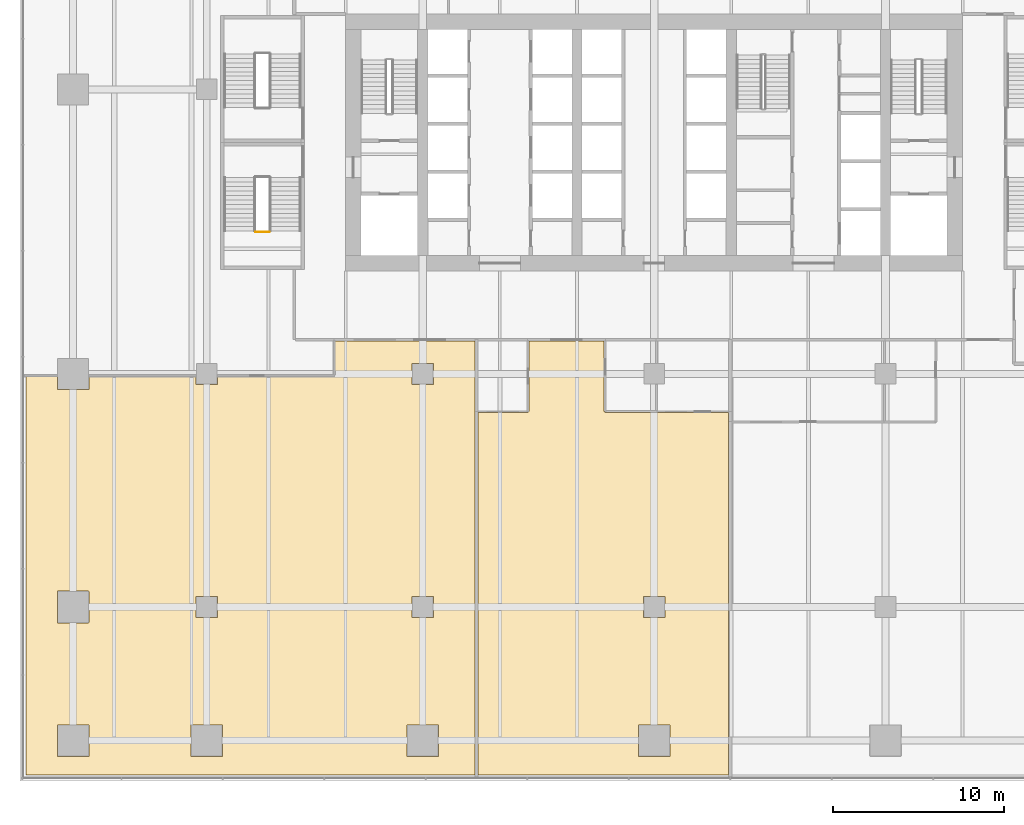
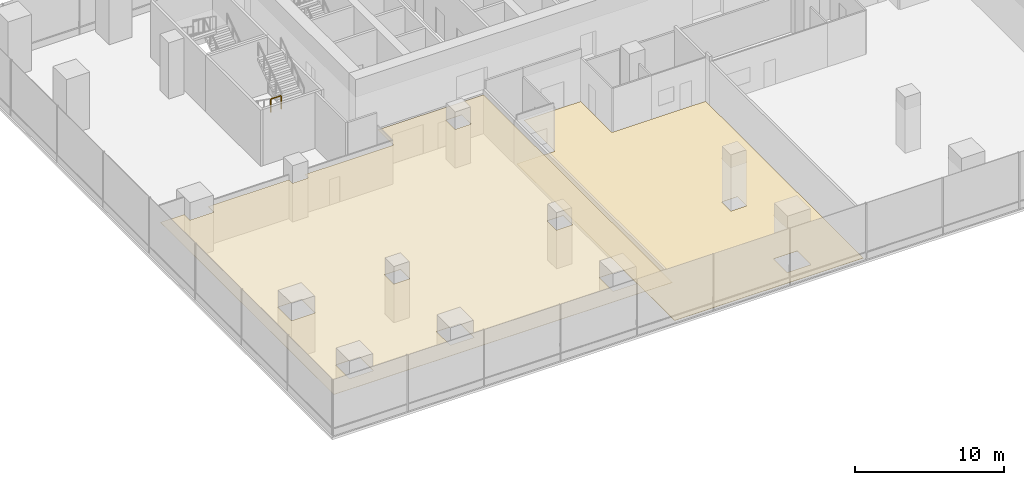
# One storey, part 24 of 28: 2 coverings, 1 railing.
"""IFC4 building model written with IfcOpenShell, lengths in metres."""

import ifcopenshell
import ifcopenshell.guid

model = None  # the IFC model being written
_history = None  # IfcOwnerHistory: only IFC2X3 demands one
_inside = {}  # id of a spatial element -> (the spatial element, [elements in it])
_under = {}  # id of a project, library or spatial element -> (it, [spatial elements below it])
_declared = {}  # id of a project -> (the project, [libraries it declares])
_typed = {}  # id of a type object -> (the type object, [elements of that type])
_made_of = {}  # id of a material, layer set ... -> (it, [elements and type objects made of it])


def new_model(schema):
    """Start an empty IFC model of exactly this schema.

    Asked for "IFC4X3", IfcOpenShell would pick the latest addendum, in which some entities
    have other attributes; the version numbers below select the first issue.
    IFC2X3 requires an IfcOwnerHistory on every rooted entity: one is made here for all.
    """
    global model, _history
    if schema == "IFC4X3":
        model = ifcopenshell.file(schema_version=(4, 3, 0, 0))
    else:
        model = ifcopenshell.file(schema=schema)
    _inside.clear()
    _under.clear()
    _declared.clear()
    _typed.clear()
    _made_of.clear()
    _history = None
    if model.schema == "IFC2X3":
        org = make("IfcOrganization", Name="unknown")
        user = make(
            "IfcPersonAndOrganization",
            ThePerson=make("IfcPerson", FamilyName="unknown"),
            TheOrganization=org,
        )
        app = make(
            "IfcApplication",
            ApplicationDeveloper=org,
            Version="unknown",
            ApplicationFullName="unknown",
            ApplicationIdentifier="unknown",
        )
        _history = make(
            "IfcOwnerHistory",
            OwningUser=user,
            OwningApplication=app,
            ChangeAction="ADDED",
            CreationDate=0,
        )
    return model


def make(cls, **values):
    """One entity of the class cls with the attributes given. An attribute that is None is left unset."""
    return model.create_entity(
        cls, **{name: value for name, value in values.items() if value is not None}
    )


def rooted(cls, **values):
    """An entity with a GlobalId (a new one), such as an element, a storey or a relation."""
    return make(cls, GlobalId=ifcopenshell.guid.new(), OwnerHistory=_history, **values)


def si_unit(unit_type, name, prefix=None):
    """IfcSIUnit, for example si_unit("LENGTHUNIT", "METRE", prefix="MILLI")."""
    return make("IfcSIUnit", UnitType=unit_type, Prefix=prefix, Name=name)


def assignment(units):
    """IfcUnitAssignment: the units of a project."""
    return None if units is None else make("IfcUnitAssignment", Units=units)


def point(xyz):
    """IfcCartesianPoint."""
    return None if xyz is None else make("IfcCartesianPoint", Coordinates=xyz)


def direction(xyz):
    """IfcDirection."""
    return None if xyz is None else make("IfcDirection", DirectionRatios=xyz)


def frame(location, z_axis=None, x_axis=None):
    """IfcAxis2Placement3D, a coordinate frame: its origin and axes. An axis left out is left unset."""
    return make(
        "IfcAxis2Placement3D",
        Location=point(location),
        Axis=direction(z_axis),
        RefDirection=direction(x_axis),
    )


def frame_2d(location, x_axis=None):
    """IfcAxis2Placement2D, a coordinate frame in the plane: its origin and x axis."""
    return make(
        "IfcAxis2Placement2D", Location=point(location), RefDirection=direction(x_axis)
    )


def origin():
    """The frame at (0, 0, 0) with its axes left unset."""
    return frame((0.0, 0.0, 0.0))


def origin_2d():
    """The frame at (0, 0) in the plane with its x axis left unset."""
    return frame_2d((0.0, 0.0))


def place(relative_to, where):
    """IfcLocalPlacement: puts the frame where relative to a parent placement (None: the world)."""
    return make(
        "IfcLocalPlacement", PlacementRelTo=relative_to, RelativePlacement=where
    )


def context(
    kind, dimensions, precision=None, world=None, true_north=None, identifier=None
):
    """IfcGeometricRepresentationContext, for example the 3D "Model" context."""
    return make(
        "IfcGeometricRepresentationContext",
        ContextIdentifier=identifier,
        ContextType=kind,
        CoordinateSpaceDimension=dimensions,
        Precision=precision,
        WorldCoordinateSystem=world,
        TrueNorth=true_north,
    )


def subcontext(parent, identifier, kind, view, scale=None):
    """IfcGeometricRepresentationSubContext, for example "Body" below "Model"."""
    return make(
        "IfcGeometricRepresentationSubContext",
        ContextIdentifier=identifier,
        ContextType=kind,
        ParentContext=parent,
        TargetScale=scale,
        TargetView=view,
    )


def project(units=None, contexts=None):
    """IfcProject with its units and contexts."""
    return rooted(
        "IfcProject",
        Name="project",
        RepresentationContexts=contexts,
        UnitsInContext=assignment(units),
    )


def spatial(cls, under=None, at=None, **own):
    """A site, building, storey or space (cls), placed at a placement, below another one or the project."""
    s = rooted(cls, ObjectPlacement=at, **own)
    if under is not None:
        _under.setdefault(under.id(), (under, []))[1].append(s)
    return s


def polyline(points):
    """IfcPolyline through the points."""
    return make("IfcPolyline", Points=[point(p) for p in points])


def profile(cls, at=None, kind="AREA", **sizes):
    """A parametric profile (cls). Its sizes go by their IFC names, for example OverallWidth=200.0."""
    return make(cls, ProfileType=kind, Position=at, **sizes)


def rectangle(**sizes):
    """IfcRectangleProfileDef."""
    return profile("IfcRectangleProfileDef", **sizes)


def outline(outer, holes=None, kind="AREA"):
    """IfcArbitraryClosedProfileDef: a profile drawn as a closed curve; with holes, ...WithVoids."""
    if holes is None:
        return make("IfcArbitraryClosedProfileDef", ProfileType=kind, OuterCurve=outer)
    return make(
        "IfcArbitraryProfileDefWithVoids",
        ProfileType=kind,
        OuterCurve=outer,
        InnerCurves=holes,
    )


def extrude(swept, where, along, depth):
    """IfcExtrudedAreaSolid: the profile swept, set in the frame where, extruded along a direction by depth."""
    return make(
        "IfcExtrudedAreaSolid",
        SweptArea=swept,
        Position=where,
        ExtrudedDirection=direction(along),
        Depth=depth,
    )


def shape(context_of_items, identifier, shape_type, items):
    """IfcShapeRepresentation: the items that make up one representation, for example the "Body"."""
    return make(
        "IfcShapeRepresentation",
        ContextOfItems=context_of_items,
        RepresentationIdentifier=identifier,
        RepresentationType=shape_type,
        Items=items,
    )


def material(Name=None, Category=None):
    """IfcMaterial."""
    return make("IfcMaterial", Name=Name, Category=Category)


def layer(
    of_material, thickness, ventilated=None, Name=None, Category=None, Priority=None
):
    """IfcMaterialLayer: one layer of a wall or slab, of a material (None: an air gap)."""
    return make(
        "IfcMaterialLayer",
        Material=of_material,
        LayerThickness=thickness,
        IsVentilated=ventilated,
        Name=Name,
        Category=Category,
        Priority=Priority,
    )


def layer_set(layers, Name=None):
    """IfcMaterialLayerSet."""
    return make("IfcMaterialLayerSet", MaterialLayers=layers, LayerSetName=Name)


def made_of(thing, what):
    """Note that an element or type object is made of a material, layer set ...; save() writes the relation."""
    if what is not None:
        _made_of.setdefault(what.id(), (what, []))[1].append(thing)
    return thing


def type_object(cls, material=None, **own):
    """A type object (cls), such as IfcWallType, which elements share."""
    return made_of(rooted(cls, **own), material)


def element(
    cls,
    number,
    at=None,
    inside=None,
    cuts=None,
    type_object=None,
    material=None,
    context=None,
    identifier="Body",
    shape_type=None,
    held_by="IfcProductDefinitionShape",
    body=None,
    shapes=None,
    **own,
):
    """One element of the class cls, such as IfcWall. Its Tag is "e" and its number.

    at: its placement. inside: the storey or other place that contains it. cuts: it is an
    opening in that element (IfcRelVoidsElement). A single representation is given by context,
    identifier, shape_type and body (its items); several are given by shapes. held_by: the class
    of the entity that holds the representations. save() writes the other relations.
    """
    e = rooted(cls, Tag="e%d" % number, ObjectPlacement=at, **own)
    if body is not None:
        shapes = [shape(context, identifier, shape_type, body)]
    if shapes is not None:
        e.Representation = make(held_by, Representations=shapes)
    if inside is not None:
        _inside.setdefault(inside.id(), (inside, []))[1].append(e)
    if cuts is not None:
        rooted(
            "IfcRelVoidsElement", RelatingBuildingElement=cuts, RelatedOpeningElement=e
        )
    if type_object is not None:
        _typed.setdefault(type_object.id(), (type_object, []))[1].append(e)
    return made_of(e, material)


def aggregate(whole, parts):
    """IfcRelAggregates: a whole, such as a stair, and the parts it consists of."""
    return rooted("IfcRelAggregates", RelatingObject=whole, RelatedObjects=parts)


def save(model, path):
    """Write the relations noted so far, then the file.

    IfcRelAggregates (storeys below a building ...), IfcRelContainedInSpatialStructure (elements
    in a storey), IfcRelDefinesByType, IfcRelAssociatesMaterial and IfcRelDeclares: one each for
    every whole, place, type object, material and project.
    """
    for whole, parts in _under.values():
        aggregate(whole, parts)
    for where, things in _inside.values():
        rooted(
            "IfcRelContainedInSpatialStructure",
            RelatedElements=things,
            RelatingStructure=where,
        )
    for kind, things in _typed.values():
        rooted("IfcRelDefinesByType", RelatedObjects=things, RelatingType=kind)
    for what, things in _made_of.values():
        rooted("IfcRelAssociatesMaterial", RelatedObjects=things, RelatingMaterial=what)
    for by, libraries in _declared.values():
        rooted("IfcRelDeclares", RelatingContext=by, RelatedDefinitions=libraries)
    model.write(path)


model = new_model("IFC4")

# Units and contexts
model_context = context("Model", 3, precision=1e-05, world=origin(), true_north=direction((0.0, 1.0)))
body_context = subcontext(model_context, "Body", "Model", "MODEL_VIEW")
ifc_project = project(units=[si_unit("LENGTHUNIT", "METRE"), si_unit("AREAUNIT", "SQUARE_METRE"), si_unit("VOLUMEUNIT", "CUBIC_METRE"), si_unit("PLANEANGLEUNIT", "RADIAN"), si_unit("MASSUNIT", "GRAM", prefix="KILO")], contexts=[model_context])

# Site, building, storey
site_placement = place(None, origin())
site = spatial("IfcSite", under=ifc_project, at=site_placement, CompositionType="ELEMENT")
building_placement = place(site_placement, origin())
building = spatial("IfcBuilding", under=site, at=building_placement, Name="Rattan Terrace Tower", CompositionType="ELEMENT")
storey_placement = place(building_placement, frame((0.0, 0.0, 17.39990234375)))
storey = spatial("IfcBuildingStorey", under=building, at=storey_placement, Name="L03", CompositionType="ELEMENT", Elevation=17.39990234375)

# Railing
ifc_material_1 = material(Name="Powder-coated steel guard", Category="steel")
railing_type = type_object("IfcRailingType", Name="Core stair guard", PredefinedType="GUARDRAIL", material=ifc_material_1)
railing_placement = place(storey_placement, frame((-23.25, -5.219970703125, 2.400146484375)))
element("IfcRailing", 1, at=railing_placement, inside=storey, type_object=railing_type, Name="L03 S4 stair guard 2", PredefinedType="GUARDRAIL", context=body_context, shape_type="SweptSolid", body=[
    extrude(rectangle(XDim=0.048095703125, YDim=0.048095703125, at=origin_2d()), frame((0.0, 0.0, 1.076171875), z_axis=(1.0, 0.0, 0.0), x_axis=(0.0, 1.0, 0.0)), (0.0, 0.0, 1.0), 0.800048828125),
    extrude(rectangle(XDim=0.0419921875, YDim=0.0419921875, at=origin_2d()), origin(), (0.0, 0.0, 1.0), 1.052001953125),
    extrude(rectangle(XDim=0.0419921875, YDim=0.0419921875, at=origin_2d()), frame((0.800048828125, 0.0, 0.0)), (0.0, 0.0, 1.0), 1.052001953125),
])

# Coverings
ifc_material_2 = material(Name="Polished limestone", Category="masonry")
ifc_layer_1 = layer(ifc_material_2, 0.02001953125)
ifc_layer_set_1 = layer_set([ifc_layer_1], Name="Lobby Floor Finish Stone 20")
covering_type_1 = type_object("IfcCoveringType", Name="Lobby Floor Finish Stone 20", PredefinedType="FLOORING", material=ifc_layer_set_1)
covering_1_placement = place(storey_placement, origin())
element("IfcCovering", 2, at=covering_1_placement, inside=storey, type_object=covering_type_1, Name="Floor finish L03-109", PredefinedType="FLOORING", context=body_context, shape_type="SweptSolid", body=[
    extrude(outline(polyline([(-10.27001953125, -15.75), (-10.27001953125, -36.909912109375), (4.35009765625, -36.909912109375), (4.35009765625, -15.75), (0.159912109375, -15.75), (0.159912109375, -15.760009765625), (-2.860107421875, -15.760009765625), (-2.860107421875, -15.699951171875), (-2.919921875, -15.699951171875), (-2.919921875, -11.574951171875), (-7.31005859375, -11.574951171875), (-7.31005859375, -15.699951171875), (-7.360107421875, -15.699951171875), (-7.360107421875, -15.75), (-10.27001953125, -15.75)]), holes=[polyline([(-0.906005859375, -35.819091796875), (-0.904052734375, -35.820068359375), (-0.902099609375, -35.820068359375), (-0.89990234375, -35.820068359375), (0.89990234375, -35.820068359375), (0.902099609375, -35.820068359375), (0.904052734375, -35.820068359375), (0.906005859375, -35.819091796875), (0.907958984375, -35.819091796875), (0.909912109375, -35.818115234375), (0.910888671875, -35.81689453125), (0.9130859375, -35.81591796875), (0.9140625, -35.81396484375), (0.916015625, -35.81298828125), (0.9169921875, -35.81103515625), (0.91796875, -35.81005859375), (0.9189453125, -35.80810546875), (0.9189453125, -35.805908203125), (0.919921875, -35.803955078125), (0.919921875, -35.802001953125), (0.919921875, -35.800048828125), (0.919921875, -34.0), (0.919921875, -33.998046875), (0.919921875, -33.99609375), (0.9189453125, -33.993896484375), (0.9189453125, -33.991943359375), (0.91796875, -33.989990234375), (0.9169921875, -33.989013671875), (0.916015625, -33.987060546875), (0.9140625, -33.986083984375), (0.9130859375, -33.98388671875), (0.910888671875, -33.98291015625), (0.909912109375, -33.98193359375), (0.907958984375, -33.98095703125), (0.906005859375, -33.98095703125), (0.904052734375, -33.97998046875), (0.902099609375, -33.97998046875), (0.89990234375, -33.97998046875), (-0.89990234375, -33.97998046875), (-0.902099609375, -33.97998046875), (-0.904052734375, -33.97998046875), (-0.906005859375, -33.98095703125), (-0.907958984375, -33.98095703125), (-0.909912109375, -33.98193359375), (-0.910888671875, -33.98291015625), (-0.9130859375, -33.98388671875), (-0.9140625, -33.986083984375), (-0.916015625, -33.987060546875), (-0.9169921875, -33.989013671875), (-0.91796875, -33.989990234375), (-0.9189453125, -33.991943359375), (-0.9189453125, -33.993896484375), (-0.919921875, -33.99609375), (-0.919921875, -33.998046875), (-0.919921875, -34.0), (-0.919921875, -35.800048828125), (-0.919921875, -35.802001953125), (-0.919921875, -35.803955078125), (-0.9189453125, -35.805908203125), (-0.9189453125, -35.80810546875), (-0.91796875, -35.81005859375), (-0.9169921875, -35.81103515625), (-0.916015625, -35.81298828125), (-0.9140625, -35.81396484375), (-0.9130859375, -35.81591796875), (-0.910888671875, -35.81689453125), (-0.909912109375, -35.818115234375), (-0.907958984375, -35.819091796875), (-0.906005859375, -35.819091796875)]), polyline([(-0.610107421875, -27.718017578125), (-0.60791015625, -27.718994140625), (-0.60595703125, -27.718994140625), (-0.60400390625, -27.719970703125), (-0.60205078125, -27.719970703125), (-0.60009765625, -27.719970703125), (0.60009765625, -27.719970703125), (0.60205078125, -27.719970703125), (0.60400390625, -27.719970703125), (0.60595703125, -27.718994140625), (0.60791015625, -27.718994140625), (0.610107421875, -27.718017578125), (0.611083984375, -27.717041015625), (0.613037109375, -27.716064453125), (0.614013671875, -27.714111328125), (0.615966796875, -27.712890625), (0.616943359375, -27.7109375), (0.617919921875, -27.7099609375), (0.618896484375, -27.7080078125), (0.618896484375, -27.7060546875), (0.6201171875, -27.7041015625), (0.6201171875, -27.701904296875), (0.6201171875, -27.699951171875), (0.6201171875, -26.5), (0.6201171875, -26.498046875), (0.6201171875, -26.49609375), (0.618896484375, -26.493896484375), (0.618896484375, -26.491943359375), (0.617919921875, -26.489990234375), (0.616943359375, -26.489013671875), (0.615966796875, -26.487060546875), (0.614013671875, -26.486083984375), (0.613037109375, -26.48388671875), (0.611083984375, -26.48291015625), (0.610107421875, -26.48193359375), (0.60791015625, -26.48095703125), (0.60595703125, -26.48095703125), (0.60400390625, -26.47998046875), (0.60205078125, -26.47998046875), (0.60009765625, -26.47998046875), (-0.60009765625, -26.47998046875), (-0.60205078125, -26.47998046875), (-0.60400390625, -26.47998046875), (-0.60595703125, -26.48095703125), (-0.60791015625, -26.48095703125), (-0.610107421875, -26.48193359375), (-0.611083984375, -26.48291015625), (-0.613037109375, -26.48388671875), (-0.614013671875, -26.486083984375), (-0.615966796875, -26.487060546875), (-0.616943359375, -26.489013671875), (-0.617919921875, -26.489990234375), (-0.618896484375, -26.491943359375), (-0.618896484375, -26.493896484375), (-0.6201171875, -26.49609375), (-0.6201171875, -26.498046875), (-0.6201171875, -26.5), (-0.6201171875, -27.699951171875), (-0.6201171875, -27.701904296875), (-0.6201171875, -27.7041015625), (-0.618896484375, -27.7060546875), (-0.618896484375, -27.7080078125), (-0.617919921875, -27.7099609375), (-0.616943359375, -27.7109375), (-0.615966796875, -27.712890625), (-0.614013671875, -27.714111328125), (-0.613037109375, -27.716064453125), (-0.611083984375, -27.717041015625), (-0.610107421875, -27.718017578125)])]), origin(), (0.0, 0.0, 1.0), 0.02001953125),
])
ifc_material_3 = material(Name="Gypsum board, painted")
ifc_layer_2 = layer(ifc_material_3, 0.02490234375)
ifc_layer_set_2 = layer_set([ifc_layer_2], Name="Suspended Ceiling Gypsum 25")
covering_type_2 = type_object("IfcCoveringType", Name="Suspended Ceiling Gypsum 25", PredefinedType="CEILING", material=ifc_layer_set_2)
covering_2_placement = place(storey_placement, frame((0.0, 0.0, 3.175048828125)))
element("IfcCovering", 3, at=covering_2_placement, inside=storey, type_object=covering_type_2, Name="Ceiling L03-105", PredefinedType="CEILING", context=body_context, shape_type="SweptSolid", body=[
    extrude(outline(polyline([(-34.820068359375, -13.656005859375), (-36.659912109375, -13.656005859375), (-36.659912109375, -36.909912109375), (-10.449951171875, -36.909912109375), (-10.449951171875, -11.574951171875), (-18.610107421875, -11.574951171875), (-18.610107421875, -13.60595703125), (-18.659912109375, -13.60595703125), (-18.659912109375, -13.656005859375), (-25.47998046875, -13.656005859375), (-25.47998046875, -14.10009765625), (-25.47998046875, -14.10205078125), (-25.47998046875, -14.10400390625), (-25.48095703125, -14.10595703125), (-25.48095703125, -14.10791015625), (-25.48193359375, -14.110107421875), (-25.48291015625, -14.111083984375), (-25.48388671875, -14.113037109375), (-25.486083984375, -14.114013671875), (-25.487060546875, -14.115966796875), (-25.489013671875, -14.116943359375), (-25.489990234375, -14.117919921875), (-25.491943359375, -14.118896484375), (-25.493896484375, -14.118896484375), (-25.49609375, -14.1201171875), (-25.498046875, -14.1201171875), (-25.5, -14.1201171875), (-26.699951171875, -14.1201171875), (-26.701904296875, -14.1201171875), (-26.7041015625, -14.1201171875), (-26.7060546875, -14.118896484375), (-26.7080078125, -14.118896484375), (-26.7099609375, -14.117919921875), (-26.7109375, -14.116943359375), (-26.712890625, -14.115966796875), (-26.714111328125, -14.114013671875), (-26.716064453125, -14.113037109375), (-26.717041015625, -14.111083984375), (-26.718017578125, -14.110107421875), (-26.718994140625, -14.10791015625), (-26.718994140625, -14.10595703125), (-26.719970703125, -14.10400390625), (-26.719970703125, -14.10205078125), (-26.719970703125, -14.10009765625), (-26.719970703125, -13.656005859375), (-32.97998046875, -13.656005859375), (-32.97998046875, -14.39990234375), (-32.97998046875, -14.402099609375), (-32.97998046875, -14.404052734375), (-32.98095703125, -14.406005859375), (-32.98095703125, -14.407958984375), (-32.98193359375, -14.409912109375), (-32.98291015625, -14.410888671875), (-32.98388671875, -14.4130859375), (-32.986083984375, -14.4140625), (-32.987060546875, -14.416015625), (-32.989013671875, -14.4169921875), (-32.989990234375, -14.41796875), (-32.991943359375, -14.4189453125), (-32.993896484375, -14.4189453125), (-32.99609375, -14.419921875), (-32.998046875, -14.419921875), (-33.0, -14.419921875), (-34.800048828125, -14.419921875), (-34.802001953125, -14.419921875), (-34.803955078125, -14.419921875), (-34.805908203125, -14.4189453125), (-34.80810546875, -14.4189453125), (-34.81005859375, -14.41796875), (-34.81103515625, -14.4169921875), (-34.81298828125, -14.416015625), (-34.81396484375, -14.4140625), (-34.81591796875, -14.4130859375), (-34.81689453125, -14.410888671875), (-34.818115234375, -14.409912109375), (-34.819091796875, -14.407958984375), (-34.819091796875, -14.406005859375), (-34.820068359375, -14.404052734375), (-34.820068359375, -14.402099609375), (-34.820068359375, -14.39990234375), (-34.820068359375, -13.656005859375)]), holes=[polyline([(-14.409912109375, -35.818115234375), (-14.407958984375, -35.819091796875), (-14.406005859375, -35.819091796875), (-14.404052734375, -35.820068359375), (-14.402099609375, -35.820068359375), (-14.39990234375, -35.820068359375), (-12.60009765625, -35.820068359375), (-12.597900390625, -35.820068359375), (-12.595947265625, -35.820068359375), (-12.593994140625, -35.819091796875), (-12.592041015625, -35.819091796875), (-12.590087890625, -35.818115234375), (-12.589111328125, -35.81689453125), (-12.5869140625, -35.81591796875), (-12.5859375, -35.81396484375), (-12.583984375, -35.81298828125), (-12.5830078125, -35.81103515625), (-12.58203125, -35.81005859375), (-12.5810546875, -35.80810546875), (-12.5810546875, -35.805908203125), (-12.580078125, -35.803955078125), (-12.580078125, -35.802001953125), (-12.580078125, -35.800048828125), (-12.580078125, -34.0), (-12.580078125, -33.998046875), (-12.580078125, -33.99609375), (-12.5810546875, -33.993896484375), (-12.5810546875, -33.991943359375), (-12.58203125, -33.989990234375), (-12.5830078125, -33.989013671875), (-12.583984375, -33.987060546875), (-12.5859375, -33.986083984375), (-12.5869140625, -33.98388671875), (-12.589111328125, -33.98291015625), (-12.590087890625, -33.98193359375), (-12.592041015625, -33.98095703125), (-12.593994140625, -33.98095703125), (-12.595947265625, -33.97998046875), (-12.597900390625, -33.97998046875), (-12.60009765625, -33.97998046875), (-14.39990234375, -33.97998046875), (-14.402099609375, -33.97998046875), (-14.404052734375, -33.97998046875), (-14.406005859375, -33.98095703125), (-14.407958984375, -33.98095703125), (-14.409912109375, -33.98193359375), (-14.410888671875, -33.98291015625), (-14.4130859375, -33.98388671875), (-14.4140625, -33.986083984375), (-14.416015625, -33.987060546875), (-14.4169921875, -33.989013671875), (-14.41796875, -33.989990234375), (-14.4189453125, -33.991943359375), (-14.4189453125, -33.993896484375), (-14.419921875, -33.99609375), (-14.419921875, -33.998046875), (-14.419921875, -34.0), (-14.419921875, -35.800048828125), (-14.419921875, -35.802001953125), (-14.419921875, -35.803955078125), (-14.4189453125, -35.805908203125), (-14.4189453125, -35.80810546875), (-14.41796875, -35.81005859375), (-14.4169921875, -35.81103515625), (-14.416015625, -35.81298828125), (-14.4140625, -35.81396484375), (-14.4130859375, -35.81591796875), (-14.410888671875, -35.81689453125), (-14.409912109375, -35.818115234375)]), polyline([(-14.110107421875, -27.718017578125), (-14.10791015625, -27.718994140625), (-14.10595703125, -27.718994140625), (-14.10400390625, -27.719970703125), (-14.10205078125, -27.719970703125), (-14.10009765625, -27.719970703125), (-12.89990234375, -27.719970703125), (-12.89794921875, -27.719970703125), (-12.89599609375, -27.719970703125), (-12.89404296875, -27.718994140625), (-12.89208984375, -27.718994140625), (-12.889892578125, -27.718017578125), (-12.888916015625, -27.717041015625), (-12.886962890625, -27.716064453125), (-12.885986328125, -27.714111328125), (-12.884033203125, -27.712890625), (-12.883056640625, -27.7109375), (-12.882080078125, -27.7099609375), (-12.881103515625, -27.7080078125), (-12.881103515625, -27.7060546875), (-12.8798828125, -27.7041015625), (-12.8798828125, -27.701904296875), (-12.8798828125, -27.699951171875), (-12.8798828125, -26.5), (-12.8798828125, -26.498046875), (-12.8798828125, -26.49609375), (-12.881103515625, -26.493896484375), (-12.881103515625, -26.491943359375), (-12.882080078125, -26.489990234375), (-12.883056640625, -26.489013671875), (-12.884033203125, -26.487060546875), (-12.885986328125, -26.486083984375), (-12.886962890625, -26.48388671875), (-12.888916015625, -26.48291015625), (-12.889892578125, -26.48193359375), (-12.89208984375, -26.48095703125), (-12.89404296875, -26.48095703125), (-12.89599609375, -26.47998046875), (-12.89794921875, -26.47998046875), (-12.89990234375, -26.47998046875), (-14.10009765625, -26.47998046875), (-14.10205078125, -26.47998046875), (-14.10400390625, -26.47998046875), (-14.10595703125, -26.48095703125), (-14.10791015625, -26.48095703125), (-14.110107421875, -26.48193359375), (-14.111083984375, -26.48291015625), (-14.113037109375, -26.48388671875), (-14.114013671875, -26.486083984375), (-14.115966796875, -26.487060546875), (-14.116943359375, -26.489013671875), (-14.117919921875, -26.489990234375), (-14.118896484375, -26.491943359375), (-14.118896484375, -26.493896484375), (-14.1201171875, -26.49609375), (-14.1201171875, -26.498046875), (-14.1201171875, -26.5), (-14.1201171875, -27.699951171875), (-14.1201171875, -27.701904296875), (-14.1201171875, -27.7041015625), (-14.118896484375, -27.7060546875), (-14.118896484375, -27.7080078125), (-14.117919921875, -27.7099609375), (-14.116943359375, -27.7109375), (-14.115966796875, -27.712890625), (-14.114013671875, -27.714111328125), (-14.113037109375, -27.716064453125), (-14.111083984375, -27.717041015625), (-14.110107421875, -27.718017578125)]), polyline([(-14.116943359375, -14.111083984375), (-14.115966796875, -14.113037109375), (-14.114013671875, -14.114013671875), (-14.113037109375, -14.115966796875), (-14.111083984375, -14.116943359375), (-14.110107421875, -14.117919921875), (-14.10791015625, -14.118896484375), (-14.10595703125, -14.118896484375), (-14.10400390625, -14.1201171875), (-14.10205078125, -14.1201171875), (-14.10009765625, -14.1201171875), (-12.89990234375, -14.1201171875), (-12.89794921875, -14.1201171875), (-12.89599609375, -14.1201171875), (-12.89404296875, -14.118896484375), (-12.89208984375, -14.118896484375), (-12.889892578125, -14.117919921875), (-12.888916015625, -14.116943359375), (-12.886962890625, -14.115966796875), (-12.885986328125, -14.114013671875), (-12.884033203125, -14.113037109375), (-12.883056640625, -14.111083984375), (-12.882080078125, -14.110107421875), (-12.881103515625, -14.10791015625), (-12.881103515625, -14.10595703125), (-12.8798828125, -14.10400390625), (-12.8798828125, -14.10205078125), (-12.8798828125, -14.10009765625), (-12.8798828125, -12.89990234375), (-12.8798828125, -12.89794921875), (-12.8798828125, -12.89599609375), (-12.881103515625, -12.89404296875), (-12.881103515625, -12.89208984375), (-12.882080078125, -12.889892578125), (-12.883056640625, -12.888916015625), (-12.884033203125, -12.886962890625), (-12.885986328125, -12.885986328125), (-12.886962890625, -12.884033203125), (-12.888916015625, -12.883056640625), (-12.889892578125, -12.882080078125), (-12.89208984375, -12.881103515625), (-12.89404296875, -12.881103515625), (-12.89599609375, -12.8798828125), (-12.89794921875, -12.8798828125), (-12.89990234375, -12.8798828125), (-14.10009765625, -12.8798828125), (-14.10205078125, -12.8798828125), (-14.10400390625, -12.8798828125), (-14.10595703125, -12.881103515625), (-14.10791015625, -12.881103515625), (-14.110107421875, -12.882080078125), (-14.111083984375, -12.883056640625), (-14.113037109375, -12.884033203125), (-14.114013671875, -12.885986328125), (-14.115966796875, -12.886962890625), (-14.116943359375, -12.888916015625), (-14.117919921875, -12.889892578125), (-14.118896484375, -12.89208984375), (-14.118896484375, -12.89404296875), (-14.1201171875, -12.89599609375), (-14.1201171875, -12.89794921875), (-14.1201171875, -12.89990234375), (-14.1201171875, -14.10009765625), (-14.1201171875, -14.10205078125), (-14.1201171875, -14.10400390625), (-14.118896484375, -14.10595703125), (-14.118896484375, -14.10791015625), (-14.117919921875, -14.110107421875), (-14.116943359375, -14.111083984375)]), polyline([(-27.010009765625, -35.818115234375), (-27.008056640625, -35.819091796875), (-27.006103515625, -35.819091796875), (-27.00390625, -35.820068359375), (-27.001953125, -35.820068359375), (-27.0, -35.820068359375), (-25.199951171875, -35.820068359375), (-25.197998046875, -35.820068359375), (-25.196044921875, -35.820068359375), (-25.194091796875, -35.819091796875), (-25.19189453125, -35.819091796875), (-25.18994140625, -35.818115234375), (-25.18896484375, -35.81689453125), (-25.18701171875, -35.81591796875), (-25.18603515625, -35.81396484375), (-25.18408203125, -35.81298828125), (-25.18310546875, -35.81103515625), (-25.181884765625, -35.81005859375), (-25.180908203125, -35.80810546875), (-25.180908203125, -35.805908203125), (-25.179931640625, -35.803955078125), (-25.179931640625, -35.802001953125), (-25.179931640625, -35.800048828125), (-25.179931640625, -34.0), (-25.179931640625, -33.998046875), (-25.179931640625, -33.99609375), (-25.180908203125, -33.993896484375), (-25.180908203125, -33.991943359375), (-25.181884765625, -33.989990234375), (-25.18310546875, -33.989013671875), (-25.18408203125, -33.987060546875), (-25.18603515625, -33.986083984375), (-25.18701171875, -33.98388671875), (-25.18896484375, -33.98291015625), (-25.18994140625, -33.98193359375), (-25.19189453125, -33.98095703125), (-25.194091796875, -33.98095703125), (-25.196044921875, -33.97998046875), (-25.197998046875, -33.97998046875), (-25.199951171875, -33.97998046875), (-27.0, -33.97998046875), (-27.001953125, -33.97998046875), (-27.00390625, -33.97998046875), (-27.006103515625, -33.98095703125), (-27.008056640625, -33.98095703125), (-27.010009765625, -33.98193359375), (-27.010986328125, -33.98291015625), (-27.012939453125, -33.98388671875), (-27.013916015625, -33.986083984375), (-27.01611328125, -33.987060546875), (-27.01708984375, -33.989013671875), (-27.01806640625, -33.989990234375), (-27.01904296875, -33.991943359375), (-27.01904296875, -33.993896484375), (-27.02001953125, -33.99609375), (-27.02001953125, -33.998046875), (-27.02001953125, -34.0), (-27.02001953125, -35.800048828125), (-27.02001953125, -35.802001953125), (-27.02001953125, -35.803955078125), (-27.01904296875, -35.805908203125), (-27.01904296875, -35.80810546875), (-27.01806640625, -35.81005859375), (-27.01708984375, -35.81103515625), (-27.01611328125, -35.81298828125), (-27.013916015625, -35.81396484375), (-27.012939453125, -35.81591796875), (-27.010986328125, -35.81689453125), (-27.010009765625, -35.818115234375)]), polyline([(-26.7099609375, -27.718017578125), (-26.7080078125, -27.718994140625), (-26.7060546875, -27.718994140625), (-26.7041015625, -27.719970703125), (-26.701904296875, -27.719970703125), (-26.699951171875, -27.719970703125), (-25.5, -27.719970703125), (-25.498046875, -27.719970703125), (-25.49609375, -27.719970703125), (-25.493896484375, -27.718994140625), (-25.491943359375, -27.718994140625), (-25.489990234375, -27.718017578125), (-25.489013671875, -27.717041015625), (-25.487060546875, -27.716064453125), (-25.486083984375, -27.714111328125), (-25.48388671875, -27.712890625), (-25.48291015625, -27.7109375), (-25.48193359375, -27.7099609375), (-25.48095703125, -27.7080078125), (-25.48095703125, -27.7060546875), (-25.47998046875, -27.7041015625), (-25.47998046875, -27.701904296875), (-25.47998046875, -27.699951171875), (-25.47998046875, -26.5), (-25.47998046875, -26.498046875), (-25.47998046875, -26.49609375), (-25.48095703125, -26.493896484375), (-25.48095703125, -26.491943359375), (-25.48193359375, -26.489990234375), (-25.48291015625, -26.489013671875), (-25.48388671875, -26.487060546875), (-25.486083984375, -26.486083984375), (-25.487060546875, -26.48388671875), (-25.489013671875, -26.48291015625), (-25.489990234375, -26.48193359375), (-25.491943359375, -26.48095703125), (-25.493896484375, -26.48095703125), (-25.49609375, -26.47998046875), (-25.498046875, -26.47998046875), (-25.5, -26.47998046875), (-26.699951171875, -26.47998046875), (-26.701904296875, -26.47998046875), (-26.7041015625, -26.47998046875), (-26.7060546875, -26.48095703125), (-26.7080078125, -26.48095703125), (-26.7099609375, -26.48193359375), (-26.7109375, -26.48291015625), (-26.712890625, -26.48388671875), (-26.714111328125, -26.486083984375), (-26.716064453125, -26.487060546875), (-26.717041015625, -26.489013671875), (-26.718017578125, -26.489990234375), (-26.718994140625, -26.491943359375), (-26.718994140625, -26.493896484375), (-26.719970703125, -26.49609375), (-26.719970703125, -26.498046875), (-26.719970703125, -26.5), (-26.719970703125, -27.699951171875), (-26.719970703125, -27.701904296875), (-26.719970703125, -27.7041015625), (-26.718994140625, -27.7060546875), (-26.718994140625, -27.7080078125), (-26.718017578125, -27.7099609375), (-26.717041015625, -27.7109375), (-26.716064453125, -27.712890625), (-26.714111328125, -27.714111328125), (-26.712890625, -27.716064453125), (-26.7109375, -27.717041015625), (-26.7099609375, -27.718017578125)]), polyline([(-32.98193359375, -28.010009765625), (-32.98095703125, -28.008056640625), (-32.98095703125, -28.006103515625), (-32.97998046875, -28.00390625), (-32.97998046875, -28.001953125), (-32.97998046875, -28.0), (-32.97998046875, -26.199951171875), (-32.97998046875, -26.197998046875), (-32.97998046875, -26.196044921875), (-32.98095703125, -26.194091796875), (-32.98095703125, -26.19189453125), (-32.98193359375, -26.18994140625), (-32.98291015625, -26.18896484375), (-32.98388671875, -26.18701171875), (-32.986083984375, -26.18603515625), (-32.987060546875, -26.18408203125), (-32.989013671875, -26.18310546875), (-32.989990234375, -26.181884765625), (-32.991943359375, -26.180908203125), (-32.993896484375, -26.180908203125), (-32.99609375, -26.179931640625), (-32.998046875, -26.179931640625), (-33.0, -26.179931640625), (-34.800048828125, -26.179931640625), (-34.802001953125, -26.179931640625), (-34.803955078125, -26.179931640625), (-34.805908203125, -26.180908203125), (-34.80810546875, -26.180908203125), (-34.81005859375, -26.181884765625), (-34.81103515625, -26.18310546875), (-34.81298828125, -26.18408203125), (-34.81396484375, -26.18603515625), (-34.81591796875, -26.18701171875), (-34.81689453125, -26.18896484375), (-34.818115234375, -26.18994140625), (-34.819091796875, -26.19189453125), (-34.819091796875, -26.194091796875), (-34.820068359375, -26.196044921875), (-34.820068359375, -26.197998046875), (-34.820068359375, -26.199951171875), (-34.820068359375, -28.0), (-34.820068359375, -28.001953125), (-34.820068359375, -28.00390625), (-34.819091796875, -28.006103515625), (-34.819091796875, -28.008056640625), (-34.818115234375, -28.010009765625), (-34.81689453125, -28.010986328125), (-34.81591796875, -28.012939453125), (-34.81396484375, -28.013916015625), (-34.81298828125, -28.01611328125), (-34.81103515625, -28.01708984375), (-34.81005859375, -28.01806640625), (-34.80810546875, -28.01904296875), (-34.805908203125, -28.01904296875), (-34.803955078125, -28.02001953125), (-34.802001953125, -28.02001953125), (-34.800048828125, -28.02001953125), (-33.0, -28.02001953125), (-32.998046875, -28.02001953125), (-32.99609375, -28.02001953125), (-32.993896484375, -28.01904296875), (-32.991943359375, -28.01904296875), (-32.989990234375, -28.01806640625), (-32.989013671875, -28.01708984375), (-32.987060546875, -28.01611328125), (-32.986083984375, -28.013916015625), (-32.98388671875, -28.012939453125), (-32.98291015625, -28.010986328125), (-32.98193359375, -28.010009765625)]), polyline([(-32.99609375, -35.820068359375), (-32.993896484375, -35.819091796875), (-32.991943359375, -35.819091796875), (-32.989990234375, -35.818115234375), (-32.989013671875, -35.81689453125), (-32.987060546875, -35.81591796875), (-32.986083984375, -35.81396484375), (-32.98388671875, -35.81298828125), (-32.98291015625, -35.81103515625), (-32.98193359375, -35.81005859375), (-32.98095703125, -35.80810546875), (-32.98095703125, -35.805908203125), (-32.97998046875, -35.803955078125), (-32.97998046875, -35.802001953125), (-32.97998046875, -35.800048828125), (-32.97998046875, -34.0), (-32.97998046875, -33.998046875), (-32.97998046875, -33.99609375), (-32.98095703125, -33.993896484375), (-32.98095703125, -33.991943359375), (-32.98193359375, -33.989990234375), (-32.98291015625, -33.989013671875), (-32.98388671875, -33.987060546875), (-32.986083984375, -33.986083984375), (-32.987060546875, -33.98388671875), (-32.989013671875, -33.98291015625), (-32.989990234375, -33.98193359375), (-32.991943359375, -33.98095703125), (-32.993896484375, -33.98095703125), (-32.99609375, -33.97998046875), (-32.998046875, -33.97998046875), (-33.0, -33.97998046875), (-34.800048828125, -33.97998046875), (-34.802001953125, -33.97998046875), (-34.803955078125, -33.97998046875), (-34.805908203125, -33.98095703125), (-34.80810546875, -33.98095703125), (-34.81005859375, -33.98193359375), (-34.81103515625, -33.98291015625), (-34.81298828125, -33.98388671875), (-34.81396484375, -33.986083984375), (-34.81591796875, -33.987060546875), (-34.81689453125, -33.989013671875), (-34.818115234375, -33.989990234375), (-34.819091796875, -33.991943359375), (-34.819091796875, -33.993896484375), (-34.820068359375, -33.99609375), (-34.820068359375, -33.998046875), (-34.820068359375, -34.0), (-34.820068359375, -35.800048828125), (-34.820068359375, -35.802001953125), (-34.820068359375, -35.803955078125), (-34.819091796875, -35.805908203125), (-34.819091796875, -35.80810546875), (-34.818115234375, -35.81005859375), (-34.81689453125, -35.81103515625), (-34.81591796875, -35.81298828125), (-34.81396484375, -35.81396484375), (-34.81298828125, -35.81591796875), (-34.81103515625, -35.81689453125), (-34.81005859375, -35.818115234375), (-34.80810546875, -35.819091796875), (-34.805908203125, -35.819091796875), (-34.803955078125, -35.820068359375), (-34.802001953125, -35.820068359375), (-34.800048828125, -35.820068359375), (-33.0, -35.820068359375), (-32.998046875, -35.820068359375), (-32.99609375, -35.820068359375)])]), origin(), (0.0, 0.0, 1.0), 0.025146484375),
])

save(model, "model.ifc")
